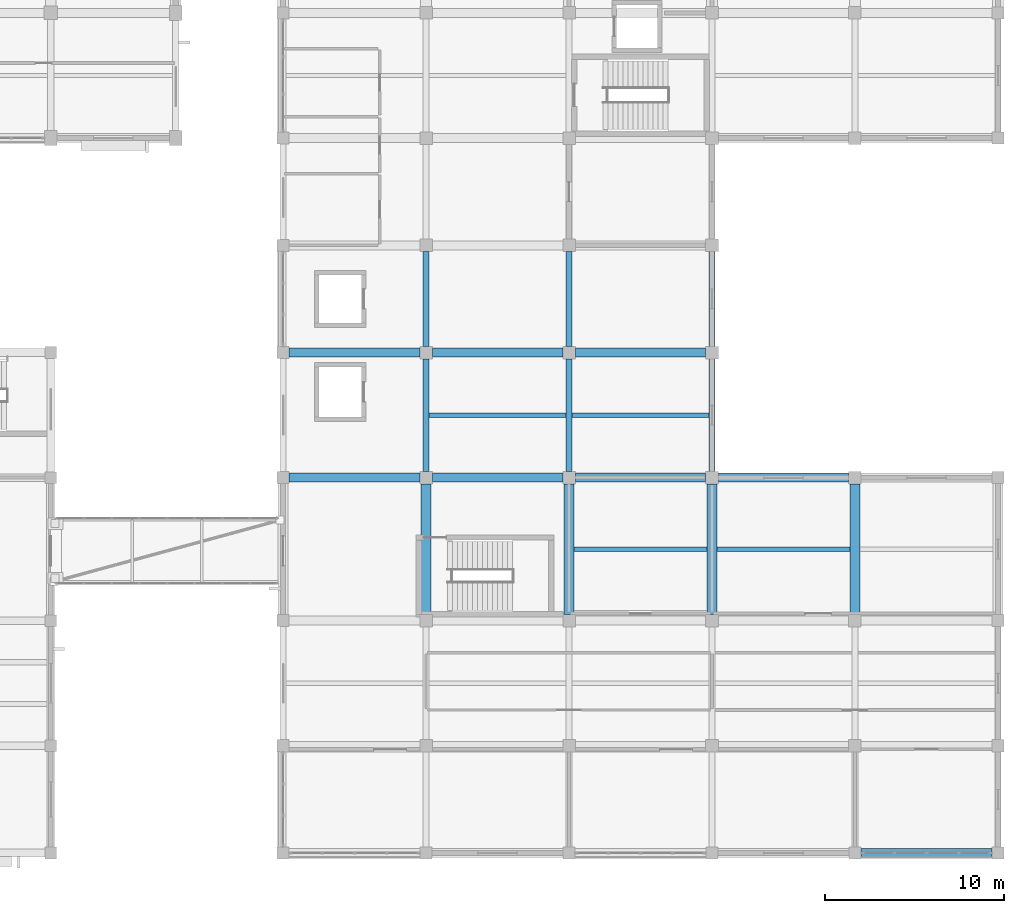
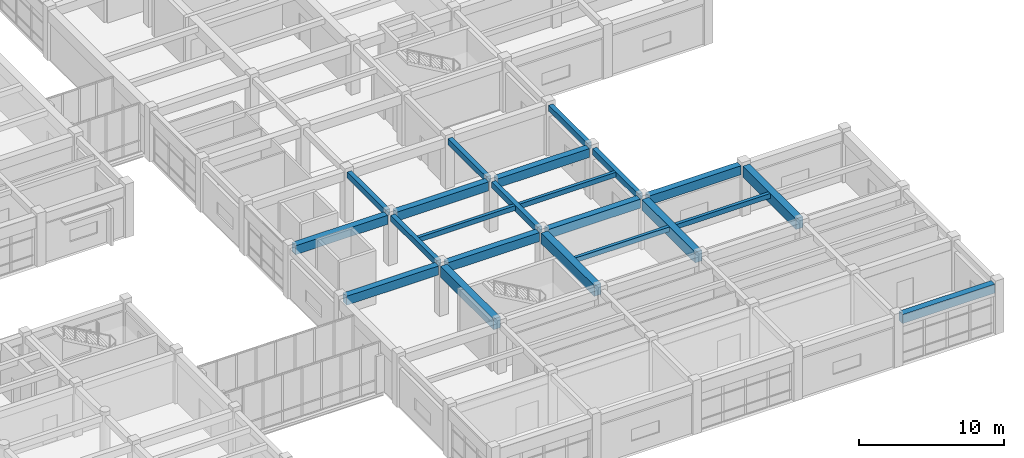
# One storey, part 34 of 72: 22 beams.
"""IFC4 building model written with IfcOpenShell, lengths in metres."""

from ifc_helpers import new_model, si_unit, direction, frame, origin, origin_2d, place, context, subcontext, project, spatial, rectangle, extrude, material, material_profile, profile_set, type_object, element, save


model = new_model("IFC4")

# Units and contexts
model_context = context("Model", 3, precision=1e-05, world=origin(), true_north=direction((0.0, 1.0)))
body_context = subcontext(model_context, "Body", "Model", "MODEL_VIEW")
ifc_project = project(units=[si_unit("LENGTHUNIT", "METRE"), si_unit("AREAUNIT", "SQUARE_METRE"), si_unit("VOLUMEUNIT", "CUBIC_METRE"), si_unit("PLANEANGLEUNIT", "RADIAN"), si_unit("MASSUNIT", "GRAM", prefix="KILO")], contexts=[model_context])

# Site, building, storey
site_placement = place(None, origin())
site = spatial("IfcSite", under=ifc_project, at=site_placement, CompositionType="ELEMENT")
building_placement = place(site_placement, origin())
building = spatial("IfcBuilding", under=site, at=building_placement, Name="Naurynzar Civic Courthouse", CompositionType="ELEMENT")
storey_placement = place(building_placement, frame((0.0, 0.0, 9.89990234375)))
storey = spatial("IfcBuildingStorey", under=building, at=storey_placement, Name="L03", CompositionType="ELEMENT", Elevation=9.89990234375)

# Beams
ifc_material_1 = material(Name="Concrete C40/50", Category="concrete")
ifc_material_profile_1 = material_profile(ifc_material_1, rectangle(XDim=0.25, YDim=0.39990234375, at=origin_2d()), Name="RCB 250x400")
ifc_profile_set_1 = profile_set([ifc_material_profile_1], Name="Concrete C40/50")
beam_type_1 = type_object("IfcBeamType", Name="BM-JST-250x400", PredefinedType="JOIST", material=ifc_profile_set_1)
for number, where, z_axis, x_axis, name in (
    (1, (146.27490234375, 21.0, 4.0), (1.0, 0.0, 0.0), (0.0, 1.0, 0.0), "V5 secondary rib 2476 L03"),
    (2, (154.27490234375, 21.0, 4.0), (1.0, 0.0, 0.0), (0.0, 1.0, 0.0), "V5 secondary rib 2477 L03"),
):
    element("IfcBeam", number, at=place(storey_placement, frame(where, z_axis=z_axis, x_axis=x_axis)), inside=storey, type_object=beam_type_1, Name=name, PredefinedType="JOIST", context=body_context, shape_type="SweptSolid", body=[
        extrude(rectangle(XDim=0.25, YDim=0.39990234375, at=origin_2d()), origin(), (0.0, 0.0, 1.0), 7.4501953125),
    ])
for number, where, z_axis, x_axis, name in (
    (3, (138.175048828125, 28.5, 4.0), (1.0, 0.0, 0.0), (0.0, 1.0, 0.0), "V5 secondary rib 2479 L03"),
    (4, (146.175048828125, 28.5, 4.0), (1.0, 0.0, 0.0), (0.0, 1.0, 0.0), "V5 secondary rib 2480 L03"),
):
    element("IfcBeam", number, at=place(storey_placement, frame(where, z_axis=z_axis, x_axis=x_axis)), inside=storey, type_object=beam_type_1, Name=name, PredefinedType="JOIST", context=body_context, shape_type="SweptSolid", body=[
        extrude(rectangle(XDim=0.25, YDim=0.39990234375, at=origin_2d()), origin(), (0.0, 0.0, 1.0), 7.64990234375),
    ])
ifc_material_2 = material(Name="Concrete C40/50", Category="concrete")
ifc_material_profile_2 = material_profile(ifc_material_2, rectangle(XDim=0.35009765625, YDim=0.5, at=origin_2d()), Name="RCB 350x500")
ifc_profile_set_2 = profile_set([ifc_material_profile_2], Name="Concrete C40/50")
beam_type_2 = type_object("IfcBeamType", Name="BM-RC-350x500", PredefinedType="BEAM", material=ifc_profile_set_2)
beam_1_placement = place(storey_placement, frame((138.0, 25.35009765625, 3.9501953125), z_axis=(0.0, 1.0, 0.0), x_axis=(-1.0, 0.0, 0.0)))
element("IfcBeam", 5, at=beam_1_placement, inside=storey, type_object=beam_type_2, Name="V5 girder Y-2435 L03", PredefinedType="BEAM", context=body_context, shape_type="SweptSolid", body=[
    extrude(rectangle(XDim=0.35009765625, YDim=0.5, at=origin_2d()), origin(), (0.0, 0.0, 1.0), 6.2998046875),
])
beam_2_placement = place(storey_placement, frame((138.0, 32.35009765625, 3.9501953125), z_axis=(0.0, 1.0, 0.0), x_axis=(-1.0, 0.0, 0.0)))
element("IfcBeam", 6, at=beam_2_placement, inside=storey, type_object=beam_type_2, Name="V5 girder Y-2436 L03", PredefinedType="BEAM", context=body_context, shape_type="SweptSolid", body=[
    extrude(rectangle(XDim=0.35009765625, YDim=0.5, at=origin_2d()), origin(), (0.0, 0.0, 1.0), 5.2998046875),
])
beam_3_placement = place(storey_placement, frame((146.0, 25.35009765625, 3.9501953125), z_axis=(0.0, 1.0, 0.0), x_axis=(-1.0, 0.0, 0.0)))
element("IfcBeam", 7, at=beam_3_placement, inside=storey, type_object=beam_type_2, Name="V5 girder Y-2444 L03", PredefinedType="BEAM", context=body_context, shape_type="SweptSolid", body=[
    extrude(rectangle(XDim=0.35009765625, YDim=0.5, at=origin_2d()), origin(), (0.0, 0.0, 1.0), 6.2998046875),
])
beam_4_placement = place(storey_placement, frame((146.0, 32.35009765625, 3.9501953125), z_axis=(0.0, 1.0, 0.0), x_axis=(-1.0, 0.0, 0.0)))
element("IfcBeam", 8, at=beam_4_placement, inside=storey, type_object=beam_type_2, Name="V5 girder Y-2445 L03", PredefinedType="BEAM", context=body_context, shape_type="SweptSolid", body=[
    extrude(rectangle(XDim=0.35009765625, YDim=0.5, at=origin_2d()), origin(), (0.0, 0.0, 1.0), 5.2998046875),
])
beam_5_placement = place(storey_placement, frame((154.0, 25.35009765625, 3.9501953125), z_axis=(0.0, 1.0, 0.0), x_axis=(-1.0, 0.0, 0.0)))
element("IfcBeam", 9, at=beam_5_placement, inside=storey, type_object=beam_type_2, Name="V5 girder Y-2453 L03", PredefinedType="BEAM", context=body_context, shape_type="SweptSolid", body=[
    extrude(rectangle(XDim=0.35009765625, YDim=0.5, at=origin_2d()), origin(), (0.0, 0.0, 1.0), 6.2998046875),
])
beam_6_placement = place(storey_placement, frame((154.0, 32.35009765625, 3.9501953125), z_axis=(0.0, 1.0, 0.0), x_axis=(-1.0, 0.0, 0.0)))
element("IfcBeam", 10, at=beam_6_placement, inside=storey, type_object=beam_type_2, Name="V5 girder Y-2454 L03", PredefinedType="BEAM", context=body_context, shape_type="SweptSolid", body=[
    extrude(rectangle(XDim=0.35009765625, YDim=0.5, at=origin_2d()), origin(), (0.0, 0.0, 1.0), 5.2998046875),
])
ifc_material_3 = material(Name="Concrete C40/50", Category="concrete")
ifc_material_profile_3 = material_profile(ifc_material_3, rectangle(XDim=0.5, YDim=0.75, at=origin_2d()), Name="RCB 500x750")
ifc_profile_set_3 = profile_set([ifc_material_profile_3], Name="Concrete C40/50")
beam_type_3 = type_object("IfcBeamType", Name="BM-RC-500x750", PredefinedType="BEAM", material=ifc_profile_set_3)
beam_7_placement = place(storey_placement, frame((162.33740234375, 4.0, 3.8251953125), z_axis=(1.0, 0.0, 0.0), x_axis=(0.0, 1.0, 0.0)))
element("IfcBeam", 11, at=beam_7_placement, inside=storey, type_object=beam_type_3, Name="V5 beam X-2381 L03", PredefinedType="BEAM", context=body_context, shape_type="SweptSolid", body=[
    extrude(rectangle(XDim=0.5, YDim=0.75, at=origin_2d()), origin(), (0.0, 0.0, 1.0), 7.3251953125),
])
beam_8_placement = place(storey_placement, frame((130.33740234375, 25.0, 3.8251953125), z_axis=(1.0, 0.0, 0.0), x_axis=(0.0, 1.0, 0.0)))
element("IfcBeam", 12, at=beam_8_placement, inside=storey, type_object=beam_type_3, Name="V5 beam X-2392 L03", PredefinedType="BEAM", context=body_context, shape_type="SweptSolid", body=[
    extrude(rectangle(XDim=0.5, YDim=0.75, at=origin_2d()), origin(), (0.0, 0.0, 1.0), 7.3125),
])
for number, where, z_axis, x_axis, name in (
    (13, (138.35009765625, 25.0, 3.8251953125), (1.0, 0.0, 0.0), (0.0, 1.0, 0.0), "V5 beam X-2393 L03"),
    (14, (146.35009765625, 25.0, 3.8251953125), (1.0, 0.0, 0.0), (0.0, 1.0, 0.0), "V5 beam X-2394 L03"),
    (15, (154.35009765625, 25.0, 3.8251953125), (1.0, 0.0, 0.0), (0.0, 1.0, 0.0), "V5 beam X-2395 L03"),
):
    element("IfcBeam", number, at=place(storey_placement, frame(where, z_axis=z_axis, x_axis=x_axis)), inside=storey, type_object=beam_type_3, Name=name, PredefinedType="BEAM", context=body_context, shape_type="SweptSolid", body=[
        extrude(rectangle(XDim=0.5, YDim=0.75, at=origin_2d()), origin(), (0.0, 0.0, 1.0), 7.2998046875),
    ])
beam_9_placement = place(storey_placement, frame((130.33740234375, 32.0, 3.8251953125), z_axis=(1.0, 0.0, 0.0), x_axis=(0.0, 1.0, 0.0)))
element("IfcBeam", 16, at=beam_9_placement, inside=storey, type_object=beam_type_3, Name="V5 beam X-2397 L03", PredefinedType="BEAM", context=body_context, shape_type="SweptSolid", body=[
    extrude(rectangle(XDim=0.5, YDim=0.75, at=origin_2d()), origin(), (0.0, 0.0, 1.0), 7.3125),
])
for number, where, z_axis, x_axis, name in (
    (17, (138.35009765625, 32.0, 3.8251953125), (1.0, 0.0, 0.0), (0.0, 1.0, 0.0), "V5 beam X-2398 L03"),
    (18, (146.35009765625, 32.0, 3.8251953125), (1.0, 0.0, 0.0), (0.0, 1.0, 0.0), "V5 beam X-2399 L03"),
):
    element("IfcBeam", number, at=place(storey_placement, frame(where, z_axis=z_axis, x_axis=x_axis)), inside=storey, type_object=beam_type_3, Name=name, PredefinedType="BEAM", context=body_context, shape_type="SweptSolid", body=[
        extrude(rectangle(XDim=0.5, YDim=0.75, at=origin_2d()), origin(), (0.0, 0.0, 1.0), 7.2998046875),
    ])
ifc_material_4 = material(Name="Concrete C40/50", Category="concrete")
ifc_material_profile_4 = material_profile(ifc_material_4, rectangle(XDim=0.550048828125, YDim=0.89990234375, at=origin_2d()), Name="RCB 550x900")
ifc_profile_set_4 = profile_set([ifc_material_profile_4], Name="Concrete C40/50")
beam_type_4 = type_object("IfcBeamType", Name="BM-RC-550x900", PredefinedType="T_BEAM", material=ifc_profile_set_4)
for number, where, z_axis, x_axis, name in (
    (19, (138.0, 17.35009765625, 3.75), (0.0, 1.0, 0.0), (-1.0, 0.0, 0.0), "V5 girder Y-2434 L03"),
    (20, (146.0, 17.35009765625, 3.75), (0.0, 1.0, 0.0), (-1.0, 0.0, 0.0), "V5 girder Y-2443 L03"),
    (21, (154.0, 17.35009765625, 3.75), (0.0, 1.0, 0.0), (-1.0, 0.0, 0.0), "V5 girder Y-2452 L03"),
    (22, (162.0, 17.35009765625, 3.75), (0.0, 1.0, 0.0), (-1.0, 0.0, 0.0), "V5 girder Y-2461 L03"),
):
    element("IfcBeam", number, at=place(storey_placement, frame(where, z_axis=z_axis, x_axis=x_axis)), inside=storey, type_object=beam_type_4, Name=name, PredefinedType="T_BEAM", context=body_context, shape_type="SweptSolid", body=[
        extrude(rectangle(XDim=0.550048828125, YDim=0.89990234375, at=origin_2d()), origin(), (0.0, 0.0, 1.0), 7.2998046875),
    ])

save(model, "model.ifc")
